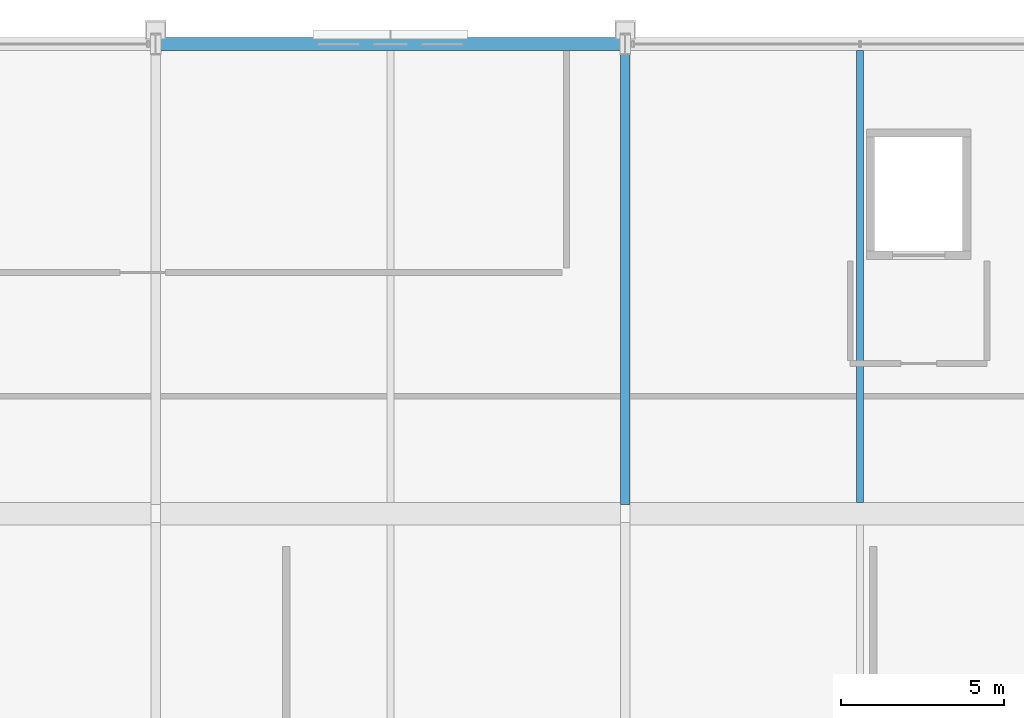
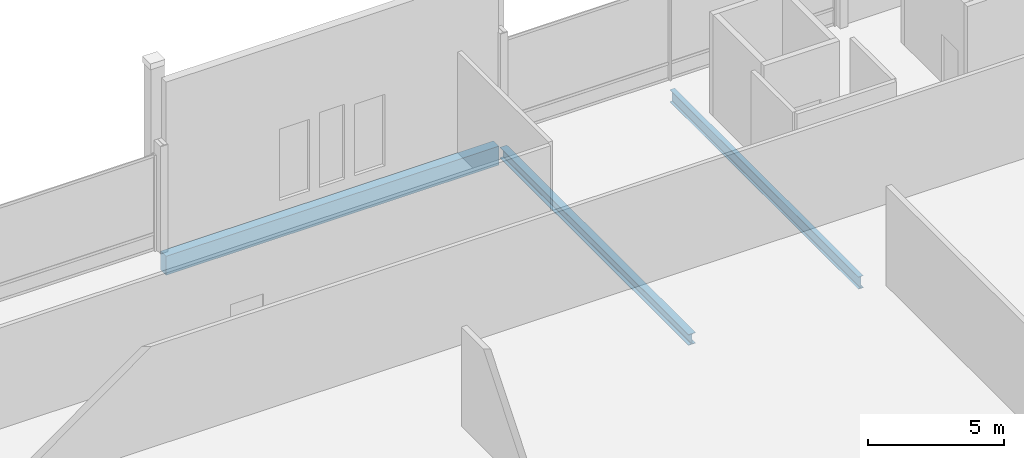
# One storey, part 107 of 193: 3 beams.
"""IFC4 building model written with IfcOpenShell, lengths in metres."""

from ifc_helpers import new_model, si_unit, direction, frame, origin, origin_2d, place, context, subcontext, project, spatial, rectangle, i_section, extrude, material, material_profile, profile_set, type_object, element, save


model = new_model("IFC4")

# Units and contexts
model_context = context("Model", 3, precision=1e-05, world=origin(), true_north=direction((0.0, 1.0)))
body_context = subcontext(model_context, "Body", "Model", "MODEL_VIEW")
ifc_project = project(units=[si_unit("LENGTHUNIT", "METRE"), si_unit("AREAUNIT", "SQUARE_METRE"), si_unit("VOLUMEUNIT", "CUBIC_METRE"), si_unit("PLANEANGLEUNIT", "RADIAN"), si_unit("MASSUNIT", "GRAM", prefix="KILO")], contexts=[model_context])

# Site, building, storey
site_placement = place(None, origin())
site = spatial("IfcSite", under=ifc_project, at=site_placement, CompositionType="ELEMENT")
building_placement = place(site_placement, origin())
building = spatial("IfcBuilding", under=site, at=building_placement, Name="Cendralis Lancet Convention Centre", CompositionType="ELEMENT")
storey_placement = place(building_placement, frame((0.0, 0.0, 10.199951171875)))
storey = spatial("IfcBuildingStorey", under=building, at=storey_placement, Name="L02", CompositionType="ELEMENT", Elevation=10.199951171875)

# Beams
ifc_material_1 = material(Name="Steel S355", Category="steel")
ifc_material_profile_1 = material_profile(ifc_material_1, i_section(OverallWidth=0.300048828125, OverallDepth=0.489990234375, WebThickness=0.011962890625, FlangeThickness=0.02294921875, FilletRadius=0.027099609375, at=origin_2d()), Name="HEA 500")
ifc_profile_set_1 = profile_set([ifc_material_profile_1], Name="Steel S355")
beam_type_1 = type_object("IfcBeamType", Name="STR-BM-SG12", PredefinedType="BEAM", material=ifc_profile_set_1)
beam_1_placement = place(storey_placement, frame((182.39990234375, 122.675048828125, -0.544921875), z_axis=(0.0, 1.0, 0.0), x_axis=(-1.0, 0.0, 0.0)))
element("IfcBeam", 1, at=beam_1_placement, inside=storey, type_object=beam_type_1, Name="L02 Beam SG12 #1735", PredefinedType="BEAM", context=body_context, shape_type="SweptSolid", body=[
    extrude(i_section(OverallWidth=0.300048828125, OverallDepth=0.489990234375, WebThickness=0.011962890625, FlangeThickness=0.02294921875, FilletRadius=0.027099609375, at=origin_2d()), origin(), (0.0, 0.0, 1.0), 13.849853515625),
])
ifc_material_profile_2 = material_profile(ifc_material_1, i_section(OverallWidth=0.2099609375, OverallDepth=0.550048828125, WebThickness=0.010986328125, FlangeThickness=0.01708984375, FilletRadius=0.02392578125, at=origin_2d()), Name="IPE 550")
ifc_profile_set_2 = profile_set([ifc_material_profile_2], Name="Steel S355")
beam_type_2 = type_object("IfcBeamType", Name="STR-JS-BJ05", PredefinedType="JOIST", material=ifc_profile_set_2)
beam_2_placement = place(storey_placement, frame((189.60009765625, 122.75, -0.574951171875), z_axis=(0.0, 1.0, 0.0), x_axis=(-1.0, 0.0, 0.0)))
element("IfcBeam", 2, at=beam_2_placement, inside=storey, type_object=beam_type_2, Name="L02 Beam BJ05 #1752", PredefinedType="JOIST", context=body_context, shape_type="SweptSolid", body=[
    extrude(i_section(OverallWidth=0.2099609375, OverallDepth=0.550048828125, WebThickness=0.010986328125, FlangeThickness=0.01708984375, FilletRadius=0.02392578125, at=origin_2d()), origin(), (0.0, 0.0, 1.0), 13.85009765625),
])
ifc_material_2 = material(Name="Concrete G40 (C40/50)", Category="concrete")
ifc_material_profile_3 = material_profile(ifc_material_2, rectangle(XDim=0.39990234375, YDim=0.85009765625, at=origin_2d()), Name="RCB 400x850")
ifc_profile_set_3 = profile_set([ifc_material_profile_3], Name="Concrete G40 (C40/50)")
beam_type_3 = type_object("IfcBeamType", Name="STR-SP-SP02", PredefinedType="SPANDREL", material=ifc_profile_set_3)
beam_3_placement = place(storey_placement, frame((168.14990234375, 136.800048828125, -0.724853515625), z_axis=(1.0, 0.0, 0.0), x_axis=(0.0, 1.0, 0.0)))
element("IfcBeam", 3, at=beam_3_placement, inside=storey, type_object=beam_type_3, Name="L02 Beam SP02 #1718", PredefinedType="SPANDREL", context=body_context, shape_type="SweptSolid", body=[
    extrude(rectangle(XDim=0.39990234375, YDim=0.85009765625, at=origin_2d()), origin(), (0.0, 0.0, 1.0), 14.10009765625),
])

save(model, "model.ifc")
